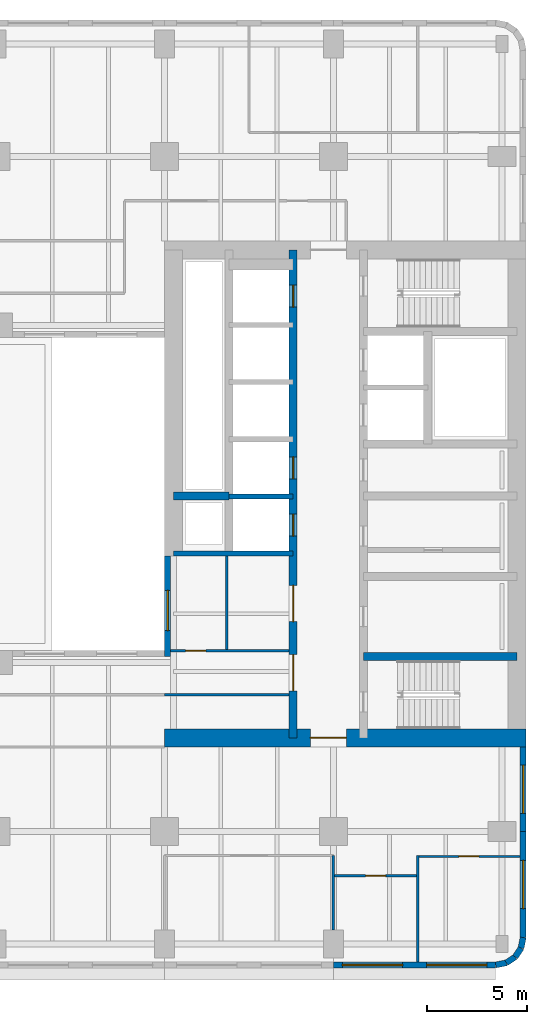
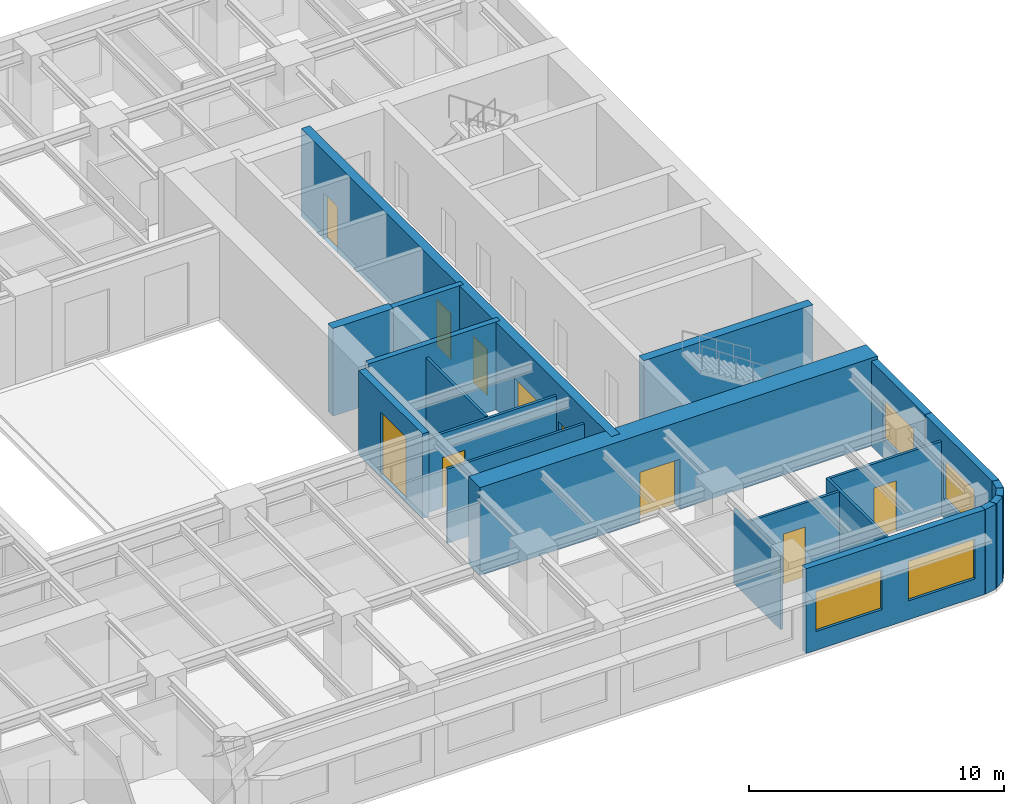
# One storey, part 5 of 14: 21 walls, 9 doors, 5 windows, 14 openings.
"""IFC4 building model written with IfcOpenShell, lengths in metres."""

from ifc_helpers import new_model, si_unit, direction, frame, frame_2d, origin, place, context, subcontext, project, spatial, rectangle, extrude, material, layer, layer_set, type_object, element, fill, save


model = new_model("IFC4")

# Units and contexts
model_context = context("Model", 3, precision=1e-05, world=origin(), true_north=direction((0.0, 1.0)))
body_context = subcontext(model_context, "Body", "Model", "MODEL_VIEW")
ifc_project = project(units=[si_unit("LENGTHUNIT", "METRE"), si_unit("AREAUNIT", "SQUARE_METRE"), si_unit("VOLUMEUNIT", "CUBIC_METRE"), si_unit("PLANEANGLEUNIT", "RADIAN"), si_unit("MASSUNIT", "GRAM", prefix="KILO")], contexts=[model_context])

# Site, building, storey
site_placement = place(None, origin())
site = spatial("IfcSite", under=ifc_project, at=site_placement, CompositionType="ELEMENT")
building_placement = place(site_placement, origin())
building = spatial("IfcBuilding", under=site, at=building_placement, Name="Claustro Exchange Tower", CompositionType="ELEMENT")
storey_placement = place(building_placement, frame((0.0, 0.0, 100.800048828125)))
storey = spatial("IfcBuildingStorey", under=building, at=storey_placement, Name="L22", CompositionType="ELEMENT", Elevation=100.800048828125)

# Wall, opening, door
ifc_material_1 = material(Name="Laminated glass in aluminium frame", Category="aluminium")
ifc_layer_1 = layer(ifc_material_1, 0.1201171875)
ifc_layer_set_1 = layer_set([ifc_layer_1], Name="Laminated glass in aluminium frame")
wall_type_1 = type_object("IfcWallType", Name="P2 120 glazed partition", PredefinedType="PARTITIONING", material=ifc_layer_set_1)
wall_1_placement = place(storey_placement, frame((33.89794921875, 17.39990234375, 0.0), z_axis=(0.0, 0.0, 1.0), x_axis=(1.0, 0.0, 0.0)))
wall_1 = element("IfcWall", 1, at=wall_1_placement, inside=storey, type_object=wall_type_1, Name="Partition P2 L22", PredefinedType="PARTITIONING", context=body_context, shape_type="SweptSolid", body=[
    extrude(rectangle(XDim=5.904052734375, YDim=0.1201171875, at=frame_2d((2.9521484375, 0.0))), origin(), (0.0, 0.0, 1.0), 3.550048828125),
])
opening_1_placement = place(wall_1_placement, frame((0.751953125, 0.0, 0.0)))
opening_1 = element("IfcOpeningElement", 2, at=opening_1_placement, cuts=wall_1, Name="Opening D7", PredefinedType="OPENING", context=body_context, shape_type="SweptSolid", body=[
    extrude(rectangle(XDim=1.0, YDim=2.39990234375, at=frame_2d((0.5, 1.199951171875))), frame((0.0, 0.070068359375, 0.0), z_axis=(0.0, -1.0, 0.0), x_axis=(1.0, 0.0, 0.0)), (0.0, 0.0, 1.0), 0.14013671875),
])
ifc_material_2 = material(Name="Glass door in aluminium frame", Category="aluminium")
door_type_1 = type_object("IfcDoorType", Name="D7 1000 x 2400 glazed door", OperationType="SINGLE_SWING_LEFT", PredefinedType="DOOR", material=ifc_material_2)
door_1_placement = place(opening_1_placement, origin())
door_1 = element("IfcDoor", 3, at=door_1_placement, inside=storey, type_object=door_type_1, Name="Door D7 L22", OperationType="SINGLE_SWING_RIGHT", OverallHeight=2.39990234375, OverallWidth=1.0, PredefinedType="DOOR", context=body_context, shape_type="SweptSolid", body=[
    extrude(rectangle(XDim=1.0, YDim=2.39990234375, at=frame_2d((0.5, 1.199951171875))), frame((0.0, 0.02490234375, 0.0), z_axis=(0.0, -1.0, 0.0), x_axis=(1.0, 0.0, 0.0)), (0.0, 0.0, 1.0), 0.050048828125),
])
fill(opening_1, door_1)

# Wall
wall_2_placement = place(storey_placement, frame((36.699951171875, 17.4580078125, 0.0), z_axis=(0.0, 0.0, 1.0), x_axis=(0.0, 1.0, 0.0)))
element("IfcWall", 4, at=wall_2_placement, inside=storey, type_object=wall_type_1, Name="Partition P2 L22", PredefinedType="PARTITIONING", context=body_context, shape_type="SweptSolid", body=[
    extrude(rectangle(XDim=4.64404296875, YDim=0.1201171875, at=frame_2d((2.322021484375, 0.0))), origin(), (0.0, 0.0, 1.0), 3.599853515625),
])

# Wall, opening, door
wall_3_placement = place(storey_placement, frame((42.05810546875, 6.199951171875, 0.0), z_axis=(0.0, 0.0, 1.0), x_axis=(1.0, 0.0, 0.0)))
wall_3 = element("IfcWall", 5, at=wall_3_placement, inside=storey, type_object=wall_type_1, Name="Partition P2 L22", PredefinedType="PARTITIONING", context=body_context, shape_type="SweptSolid", body=[
    extrude(rectangle(XDim=4.083984375, YDim=0.1201171875, at=frame_2d((2.0419921875, 0.0))), origin(), (0.0, 0.0, 1.0), 3.550048828125),
])
opening_2_placement = place(wall_3_placement, frame((1.5419921875, 0.0, 0.0)))
opening_2 = element("IfcOpeningElement", 6, at=opening_2_placement, cuts=wall_3, Name="Opening D7", PredefinedType="OPENING", context=body_context, shape_type="SweptSolid", body=[
    extrude(rectangle(XDim=1.0, YDim=2.39990234375, at=frame_2d((0.5, 1.199951171875))), frame((0.0, 0.070068359375, 0.0), z_axis=(0.0, -1.0, 0.0), x_axis=(1.0, 0.0, 0.0)), (0.0, 0.0, 1.0), 0.14013671875),
])
door_2_placement = place(opening_2_placement, frame((1.0, 0.0, 0.0), z_axis=(0.0, 0.0, 1.0), x_axis=(-1.0, 0.0, 0.0)))
door_2 = element("IfcDoor", 7, at=door_2_placement, inside=storey, type_object=door_type_1, Name="Door D7 L22", OperationType="SINGLE_SWING_RIGHT", OverallHeight=2.39990234375, OverallWidth=1.0, PredefinedType="DOOR", context=body_context, shape_type="SweptSolid", body=[
    extrude(rectangle(XDim=1.0, YDim=2.39990234375, at=frame_2d((0.5, 1.199951171875))), frame((0.0, 0.02490234375, 0.0), z_axis=(0.0, -1.0, 0.0), x_axis=(1.0, 0.0, 0.0)), (0.0, 0.0, 1.0), 0.050048828125),
])
fill(opening_2, door_2)

wall_4_placement = place(storey_placement, frame((46.258056640625, 7.14990234375, 0.0), z_axis=(0.0, 0.0, 1.0), x_axis=(1.0, 0.0, 0.0)))
wall_4 = element("IfcWall", 8, at=wall_4_placement, inside=storey, type_object=wall_type_1, Name="Partition P2 L22", PredefinedType="PARTITIONING", context=body_context, shape_type="SweptSolid", body=[
    extrude(rectangle(XDim=5.0439453125, YDim=0.1201171875, at=frame_2d((2.52197265625, 0.0))), origin(), (0.0, 0.0, 1.0), 3.56005859375),
])
opening_3_placement = place(wall_4_placement, frame((1.991943359375, 0.0, 0.0)))
opening_3 = element("IfcOpeningElement", 9, at=opening_3_placement, cuts=wall_4, Name="Opening D7", PredefinedType="OPENING", context=body_context, shape_type="SweptSolid", body=[
    extrude(rectangle(XDim=1.0, YDim=2.39990234375, at=frame_2d((0.5, 1.199951171875))), frame((0.0, 0.070068359375, 0.0), z_axis=(0.0, -1.0, 0.0), x_axis=(1.0, 0.0, 0.0)), (0.0, 0.0, 1.0), 0.14013671875),
])
door_3_placement = place(opening_3_placement, frame((1.0, 0.0, 0.0), z_axis=(0.0, 0.0, 1.0), x_axis=(-1.0, 0.0, 0.0)))
door_3 = element("IfcDoor", 10, at=door_3_placement, inside=storey, type_object=door_type_1, Name="Door D7 L22", OperationType="SINGLE_SWING_RIGHT", OverallHeight=2.39990234375, OverallWidth=1.0, PredefinedType="DOOR", context=body_context, shape_type="SweptSolid", body=[
    extrude(rectangle(XDim=1.0, YDim=2.39990234375, at=frame_2d((0.5, 1.199951171875))), frame((0.0, 0.02490234375, 0.0), z_axis=(0.0, -1.0, 0.0), x_axis=(1.0, 0.0, 0.0)), (0.0, 0.0, 1.0), 0.050048828125),
])
fill(opening_3, door_3)

# Walls
wall_5_placement = place(storey_placement, frame((42.0, 3.4990234375, 0.0), z_axis=(0.0, 0.0, 1.0), x_axis=(0.0, 1.0, 0.0)))
element("IfcWall", 11, at=wall_5_placement, inside=storey, type_object=wall_type_1, Name="Partition P2 L22", PredefinedType="PARTITIONING", context=body_context, shape_type="SweptSolid", body=[
    extrude(rectangle(XDim=3.700927734375, YDim=0.1201171875, at=frame_2d((1.8505859375, 0.0))), origin(), (0.0, 0.0, 1.0), 3.550048828125),
])
wall_6_placement = place(storey_placement, frame((46.199951171875, 1.89794921875, 0.0), z_axis=(0.0, 0.0, 1.0), x_axis=(0.0, 1.0, 0.0)))
element("IfcWall", 12, at=wall_6_placement, inside=storey, type_object=wall_type_1, Name="Partition P2 L22", PredefinedType="PARTITIONING", context=body_context, shape_type="SweptSolid", body=[
    extrude(rectangle(XDim=5.302001953125, YDim=0.1201171875, at=frame_2d((2.65087890625, 0.0))), origin(), (0.0, 0.0, 1.0), 3.56005859375),
])
wall_7_placement = place(storey_placement, frame((33.597900390625, 15.199951171875, 0.0), z_axis=(0.0, 0.0, 1.0), x_axis=(1.0, 0.0, 0.0)))
element("IfcWall", 13, at=wall_7_placement, inside=storey, type_object=wall_type_1, Name="Partition P2 L22", PredefinedType="PARTITIONING", context=body_context, shape_type="SweptSolid", body=[
    extrude(rectangle(XDim=6.2041015625, YDim=0.1201171875, at=frame_2d((3.10205078125, 0.0))), origin(), (0.0, 0.0, 1.0), 3.550048828125),
])

# Wall, openings, windows
ifc_material_3 = material(Name="Concrete HA-40 (C40/50), precast, white cement, acid-etched", Category="concrete")
ifc_layer_2 = layer(ifc_material_3, 0.300048828125)
ifc_layer_set_2 = layer_set([ifc_layer_2], Name="Concrete HA-40 (C40/50), precast, white cement, acid-etched")
wall_type_2 = type_object("IfcWallType", Name="PC1 300 precast concrete pier panel", PredefinedType="SOLIDWALL", material=ifc_layer_set_2)
wall_8_placement = place(storey_placement, frame((50.085205078125, 1.75, 0.0), z_axis=(0.0, 0.0, 1.0), x_axis=(-1.0, 0.0, 0.0)))
wall_8 = element("IfcWall", 14, at=wall_8_placement, inside=storey, type_object=wall_type_2, Name="Precast pier panel PC1 L22", PredefinedType="SOLIDWALL", context=body_context, shape_type="SweptSolid", body=[
    extrude(rectangle(XDim=8.085205078125, YDim=0.300048828125, at=frame_2d((4.04248046875, 0.0))), origin(), (0.0, 0.0, 1.0), 4.050048828125),
])
opening_4_placement = place(wall_8_placement, frame((0.442626953125, 0.0, 0.89990234375)))
opening_4 = element("IfcOpeningElement", 15, at=opening_4_placement, cuts=wall_8, Name="Opening W1", PredefinedType="OPENING", context=body_context, shape_type="SweptSolid", body=[
    extrude(rectangle(XDim=3.0, YDim=1.89990234375, at=frame_2d((1.5, 0.949951171875))), frame((0.0, 0.159912109375, 0.0), z_axis=(0.0, -1.0, 0.0), x_axis=(1.0, 0.0, 0.0)), (0.0, 0.0, 1.0), 0.320068359375),
])
opening_5_placement = place(wall_8_placement, frame((4.642578125, 0.0, 0.89990234375)))
opening_5 = element("IfcOpeningElement", 16, at=opening_5_placement, cuts=wall_8, Name="Opening W1", PredefinedType="OPENING", context=body_context, shape_type="SweptSolid", body=[
    extrude(rectangle(XDim=3.0, YDim=1.89990234375, at=frame_2d((1.5, 0.949951171875))), frame((0.0, 0.159912109375, 0.0), z_axis=(0.0, -1.0, 0.0), x_axis=(1.0, 0.0, 0.0)), (0.0, 0.0, 1.0), 0.320068359375),
])
ifc_material_4 = material(Name="Aluminium frame, clear double glazing", Category="aluminium")
window_type_1 = type_object("IfcWindowType", Name="W1 3000 x 1900 window", PartitioningType="SINGLE_PANEL", PredefinedType="WINDOW", material=ifc_material_4)
window_1_placement = place(opening_4_placement, origin())
window_1 = element("IfcWindow", 17, at=window_1_placement, inside=storey, type_object=window_type_1, Name="Window W1 L22", OverallHeight=1.89990234375, OverallWidth=3.0, PartitioningType="SINGLE_PANEL", PredefinedType="WINDOW", context=body_context, shape_type="SweptSolid", body=[
    extrude(rectangle(XDim=3.0, YDim=1.89990234375, at=frame_2d((1.5, 0.949951171875))), frame((0.0, 0.030029296875, 0.0), z_axis=(0.0, -1.0, 0.0), x_axis=(1.0, 0.0, 0.0)), (0.0, 0.0, 1.0), 0.06005859375),
])
fill(opening_4, window_1)
window_2_placement = place(opening_5_placement, origin())
window_2 = element("IfcWindow", 18, at=window_2_placement, inside=storey, type_object=window_type_1, Name="Window W1 L22", OverallHeight=1.89990234375, OverallWidth=3.0, PartitioningType="SINGLE_PANEL", PredefinedType="WINDOW", context=body_context, shape_type="SweptSolid", body=[
    extrude(rectangle(XDim=3.0, YDim=1.89990234375, at=frame_2d((1.5, 0.949951171875))), frame((0.0, 0.030029296875, 0.0), z_axis=(0.0, -1.0, 0.0), x_axis=(1.0, 0.0, 0.0)), (0.0, 0.0, 1.0), 0.06005859375),
])
fill(opening_5, window_2)

# Wall, opening, window
wall_9_placement = place(storey_placement, frame((51.449951171875, 12.60009765625, 0.0), z_axis=(0.0, 0.0, 1.0), x_axis=(0.0, -1.0, 0.0)))
wall_9 = element("IfcWall", 19, at=wall_9_placement, inside=storey, type_object=wall_type_2, Name="Precast pier panel PC1 L22", PredefinedType="SOLIDWALL", context=body_context, shape_type="SweptSolid", body=[
    extrude(rectangle(XDim=4.2001953125, YDim=0.300048828125, at=frame_2d((2.10009765625, 0.0))), origin(), (0.0, 0.0, 1.0), 4.050048828125),
])
opening_6_placement = place(wall_9_placement, frame((0.89990234375, 0.0, 0.89990234375)))
opening_6 = element("IfcOpeningElement", 20, at=opening_6_placement, cuts=wall_9, Name="Opening W2", PredefinedType="OPENING", context=body_context, shape_type="SweptSolid", body=[
    extrude(rectangle(XDim=2.39990234375, YDim=1.89990234375, at=frame_2d((1.199951171875, 0.949951171875))), frame((0.0, 0.159912109375, 0.0), z_axis=(0.0, -1.0, 0.0), x_axis=(1.0, 0.0, 0.0)), (0.0, 0.0, 1.0), 0.320068359375),
])
ifc_material_5 = material(Name="Aluminium frame, clear double glazing", Category="aluminium")
window_type_2 = type_object("IfcWindowType", Name="W2 2400 x 1900 window", PartitioningType="SINGLE_PANEL", PredefinedType="WINDOW", material=ifc_material_5)
window_3_placement = place(opening_6_placement, origin())
window_3 = element("IfcWindow", 21, at=window_3_placement, inside=storey, type_object=window_type_2, Name="Window W2 L22", OverallHeight=1.89990234375, OverallWidth=2.39990234375, PartitioningType="SINGLE_PANEL", PredefinedType="WINDOW", context=body_context, shape_type="SweptSolid", body=[
    extrude(rectangle(XDim=2.39990234375, YDim=1.89990234375, at=frame_2d((1.199951171875, 0.949951171875))), frame((0.0, 0.030029296875, 0.0), z_axis=(0.0, -1.0, 0.0), x_axis=(1.0, 0.0, 0.0)), (0.0, 0.0, 1.0), 0.06005859375),
])
fill(opening_6, window_3)

wall_10_placement = place(storey_placement, frame((51.449951171875, 8.39990234375, 0.0), z_axis=(0.0, 0.0, 1.0), x_axis=(0.0, -1.0, 0.0)))
wall_10 = element("IfcWall", 22, at=wall_10_placement, inside=storey, type_object=wall_type_2, Name="Precast pier panel PC1 L22", PredefinedType="SOLIDWALL", context=body_context, shape_type="SweptSolid", body=[
    extrude(rectangle(XDim=5.28515625, YDim=0.300048828125, at=frame_2d((2.642578125, 0.0))), origin(), (0.0, 0.0, 1.0), 4.050048828125),
])
opening_7_placement = place(wall_10_placement, frame((1.442626953125, 0.0, 0.89990234375)))
opening_7 = element("IfcOpeningElement", 23, at=opening_7_placement, cuts=wall_10, Name="Opening W2", PredefinedType="OPENING", context=body_context, shape_type="SweptSolid", body=[
    extrude(rectangle(XDim=2.39990234375, YDim=1.89990234375, at=frame_2d((1.199951171875, 0.949951171875))), frame((0.0, 0.159912109375, 0.0), z_axis=(0.0, -1.0, 0.0), x_axis=(1.0, 0.0, 0.0)), (0.0, 0.0, 1.0), 0.320068359375),
])
window_4_placement = place(opening_7_placement, origin())
window_4 = element("IfcWindow", 24, at=window_4_placement, inside=storey, type_object=window_type_2, Name="Window W2 L22", OverallHeight=1.89990234375, OverallWidth=2.39990234375, PartitioningType="SINGLE_PANEL", PredefinedType="WINDOW", context=body_context, shape_type="SweptSolid", body=[
    extrude(rectangle(XDim=2.39990234375, YDim=1.89990234375, at=frame_2d((1.199951171875, 0.949951171875))), frame((0.0, 0.030029296875, 0.0), z_axis=(0.0, -1.0, 0.0), x_axis=(1.0, 0.0, 0.0)), (0.0, 0.0, 1.0), 0.06005859375),
])
fill(opening_7, window_4)

# Walls
wall_11_placement = place(storey_placement, frame((51.449951171875, 3.11474609375, 0.0), z_axis=(0.0, 0.0, 1.0), x_axis=(-0.195073962632, -0.980788534345, 0.0)))
element("IfcWall", 25, at=wall_11_placement, inside=storey, type_object=wall_type_2, Name="Precast pier panel PC1 L22", PredefinedType="SOLIDWALL", context=body_context, shape_type="SweptSolid", body=[
    extrude(rectangle(XDim=0.540771484375, YDim=0.300048828125, at=frame_2d((0.2705078125, 0.0))), origin(), (0.0, 0.0, 1.0), 4.050048828125),
])
for number, where, z_axis, x_axis, name in (
    (26, (51.344482421875, 2.58447265625, 0.0), (0.0, 0.0, 1.0), (-0.555557463938, -0.831478144188, 0.0), "Precast pier panel PC1 L22"),
    (27, (51.052490234375, 2.1474609375, 0.0), (0.0, 0.0, 1.0), (-0.831478144188, -0.555557463938, 0.0), "Precast pier panel PC1 L22"),
):
    element("IfcWall", number, at=place(storey_placement, frame(where, z_axis=z_axis, x_axis=x_axis)), inside=storey, type_object=wall_type_2, Name=name, PredefinedType="SOLIDWALL", context=body_context, shape_type="SweptSolid", body=[
        extrude(rectangle(XDim=0.525634765625, YDim=0.300048828125, at=frame_2d((0.2626953125, 0.0))), origin(), (0.0, 0.0, 1.0), 4.050048828125),
    ])
wall_12_placement = place(storey_placement, frame((50.615478515625, 1.85546875, 0.0), z_axis=(0.0, 0.0, 1.0), x_axis=(-0.980788534345, -0.195073962632, 0.0)))
element("IfcWall", 28, at=wall_12_placement, inside=storey, type_object=wall_type_2, Name="Precast pier panel PC1 L22", PredefinedType="SOLIDWALL", context=body_context, shape_type="SweptSolid", body=[
    extrude(rectangle(XDim=0.540771484375, YDim=0.300048828125, at=frame_2d((0.2705078125, 0.0))), origin(), (0.0, 0.0, 1.0), 4.050048828125),
])

# Wall, opening, window
wall_13_placement = place(storey_placement, frame((33.75, 17.10009765625, 0.0), z_axis=(0.0, 0.0, 1.0), x_axis=(0.0, 1.0, 0.0)))
wall_13 = element("IfcWall", 29, at=wall_13_placement, inside=storey, type_object=wall_type_2, Name="Precast pier panel PC1 L22", PredefinedType="SOLIDWALL", context=body_context, shape_type="SweptSolid", body=[
    extrude(rectangle(XDim=5.0, YDim=0.300048828125, at=frame_2d((2.5, 0.0))), origin(), (0.0, 0.0, 1.0), 4.050048828125),
])
opening_8_placement = place(wall_13_placement, frame((1.300048828125, 0.0, 0.10009765625)))
opening_8 = element("IfcOpeningElement", 30, at=opening_8_placement, cuts=wall_13, Name="Opening W-A", PredefinedType="OPENING", context=body_context, shape_type="SweptSolid", body=[
    extrude(rectangle(XDim=2.0, YDim=3.0, at=frame_2d((1.0, 1.5))), frame((0.0, 0.159912109375, 0.0), z_axis=(0.0, -1.0, 0.0), x_axis=(1.0, 0.0, 0.0)), (0.0, 0.0, 1.0), 0.320068359375),
])
ifc_material_6 = material(Name="Aluminium frame, clear double glazing", Category="aluminium")
window_type_3 = type_object("IfcWindowType", Name="W-A 2000 x 3000 arcade window", PartitioningType="SINGLE_PANEL", PredefinedType="WINDOW", material=ifc_material_6)
window_5_placement = place(opening_8_placement, origin())
window_5 = element("IfcWindow", 31, at=window_5_placement, inside=storey, type_object=window_type_3, Name="Window W-A L22", OverallHeight=3.0, OverallWidth=2.0, PartitioningType="SINGLE_PANEL", PredefinedType="WINDOW", context=body_context, shape_type="SweptSolid", body=[
    extrude(rectangle(XDim=2.0, YDim=3.0, at=frame_2d((1.0, 1.5))), frame((0.0, 0.030029296875, 0.0), z_axis=(0.0, -1.0, 0.0), x_axis=(1.0, 0.0, 0.0)), (0.0, 0.0, 1.0), 0.06005859375),
])
fill(opening_8, window_5)

# Wall, opening, door
ifc_material_7 = material(Name="Concrete HA-70 (C70/85)", Category="concrete")
ifc_layer_3 = layer(ifc_material_7, 0.89990234375)
ifc_layer_set_3 = layer_set([ifc_layer_3], Name="Concrete HA-70 (C70/85)")
wall_type_3 = type_object("IfcWallType", Name="SW1 900 core shear wall", PredefinedType="SHEAR", material=ifc_layer_set_3)
wall_14_placement = place(storey_placement, frame((33.60009765625, 13.050048828125, 0.0), z_axis=(0.0, 0.0, 1.0), x_axis=(1.0, 0.0, 0.0)))
wall_14 = element("IfcWall", 32, at=wall_14_placement, inside=storey, type_object=wall_type_3, Name="Core wall SW1 E core S face L22", PredefinedType="SHEAR", context=body_context, shape_type="SweptSolid", body=[
    extrude(rectangle(XDim=18.0, YDim=0.89990234375, at=frame_2d((9.0, 0.0))), origin(), (0.0, 0.0, 1.0), 4.199951171875),
])
opening_9_placement = place(wall_14_placement, frame((7.25, 0.0, 0.0)))
opening_9 = element("IfcOpeningElement", 33, at=opening_9_placement, cuts=wall_14, Name="Opening D3", PredefinedType="OPENING", context=body_context, shape_type="SweptSolid", body=[
    extrude(rectangle(XDim=1.800048828125, YDim=2.39990234375, at=frame_2d((0.89990234375, 1.199951171875))), frame((0.0, 0.4599609375, 0.0), z_axis=(0.0, -1.0, 0.0), x_axis=(1.0, 0.0, 0.0)), (0.0, 0.0, 1.0), 0.919921875),
])
ifc_material_8 = material(Name="Steel fire door, painted", Category="steel")
door_type_2 = type_object("IfcDoorType", Name="D3 1800 x 2400 fire-rated lobby double door", OperationType="DOUBLE_DOOR_SINGLE_SWING", PredefinedType="DOOR", material=ifc_material_8)
door_4_placement = place(opening_9_placement, frame((1.800048828125, 0.0, 0.0), z_axis=(0.0, 0.0, 1.0), x_axis=(-1.0, 0.0, 0.0)))
door_4 = element("IfcDoor", 34, at=door_4_placement, inside=storey, type_object=door_type_2, Name="Lift lobby door D3 L22", OperationType="DOUBLE_DOOR_SINGLE_SWING", OverallHeight=2.39990234375, OverallWidth=1.800048828125, PredefinedType="DOOR", context=body_context, shape_type="SweptSolid", body=[
    extrude(rectangle(XDim=1.800048828125, YDim=2.39990234375, at=frame_2d((0.89990234375, 1.199951171875))), frame((0.0, 0.02490234375, 0.0), z_axis=(0.0, -1.0, 0.0), x_axis=(1.0, 0.0, 0.0)), (0.0, 0.0, 1.0), 0.050048828125),
])
fill(opening_9, door_4)

# Wall, openings, doors
ifc_material_9 = material(Name="Concrete HA-50 (C50/60)", Category="concrete")
ifc_layer_4 = layer(ifc_material_9, 0.39990234375)
ifc_layer_set_4 = layer_set([ifc_layer_4], Name="Concrete HA-50 (C50/60)")
wall_type_4 = type_object("IfcWallType", Name="SW4 400 internal core wall", PredefinedType="SHEAR", material=ifc_layer_set_4)
wall_15_placement = place(storey_placement, frame((40.0, 13.050048828125, 0.0), z_axis=(0.0, 0.0, 1.0), x_axis=(0.0, 1.0, 0.0)))
wall_15 = element("IfcWall", 35, at=wall_15_placement, inside=storey, type_object=wall_type_4, Name="Internal core wall SW4 E core L22", PredefinedType="SHEAR", context=body_context, shape_type="SweptSolid", body=[
    extrude(rectangle(XDim=24.300048828125, YDim=0.39990234375, at=frame_2d((12.14990234375, 0.0))), origin(), (0.0, 0.0, 1.0), 4.199951171875),
])
opening_10_placement = place(wall_15_placement, frame((10.050048828125, 0.0, 0.0)))
opening_10 = element("IfcOpeningElement", 36, at=opening_10_placement, cuts=wall_15, Name="Opening LD", PredefinedType="OPENING", context=body_context, shape_type="SweptSolid", body=[
    extrude(rectangle(XDim=1.10009765625, YDim=2.199951171875, at=frame_2d((0.550048828125, 1.10009765625))), frame((0.0, 0.2099609375, 0.0), z_axis=(0.0, -1.0, 0.0), x_axis=(1.0, 0.0, 0.0)), (0.0, 0.0, 1.0), 0.419921875),
])
opening_11_placement = place(wall_15_placement, frame((12.89990234375, 0.0, 0.0)))
opening_11 = element("IfcOpeningElement", 37, at=opening_11_placement, cuts=wall_15, Name="Opening LD", PredefinedType="OPENING", context=body_context, shape_type="SweptSolid", body=[
    extrude(rectangle(XDim=1.10009765625, YDim=2.199951171875, at=frame_2d((0.550048828125, 1.10009765625))), frame((0.0, 0.2099609375, 0.0), z_axis=(0.0, -1.0, 0.0), x_axis=(1.0, 0.0, 0.0)), (0.0, 0.0, 1.0), 0.419921875),
])
opening_12_placement = place(wall_15_placement, frame((21.449951171875, 0.0, 0.0)))
opening_12 = element("IfcOpeningElement", 38, at=opening_12_placement, cuts=wall_15, Name="Opening LD", PredefinedType="OPENING", context=body_context, shape_type="SweptSolid", body=[
    extrude(rectangle(XDim=1.10009765625, YDim=2.199951171875, at=frame_2d((0.550048828125, 1.10009765625))), frame((0.0, 0.2099609375, 0.0), z_axis=(0.0, -1.0, 0.0), x_axis=(1.0, 0.0, 0.0)), (0.0, 0.0, 1.0), 0.419921875),
])
opening_13_placement = place(wall_15_placement, frame((2.35009765625, 0.0, 0.0)))
opening_13 = element("IfcOpeningElement", 39, at=opening_13_placement, cuts=wall_15, Name="Opening D3", PredefinedType="OPENING", context=body_context, shape_type="SweptSolid", body=[
    extrude(rectangle(XDim=1.800048828125, YDim=2.39990234375, at=frame_2d((0.89990234375, 1.199951171875))), frame((0.0, 0.2099609375, 0.0), z_axis=(0.0, -1.0, 0.0), x_axis=(1.0, 0.0, 0.0)), (0.0, 0.0, 1.0), 0.419921875),
])
opening_14_placement = place(wall_15_placement, frame((5.800048828125, 0.0, 0.0)))
opening_14 = element("IfcOpeningElement", 40, at=opening_14_placement, cuts=wall_15, Name="Opening D3", PredefinedType="OPENING", context=body_context, shape_type="SweptSolid", body=[
    extrude(rectangle(XDim=1.800048828125, YDim=2.39990234375, at=frame_2d((0.89990234375, 1.199951171875))), frame((0.0, 0.2099609375, 0.0), z_axis=(0.0, -1.0, 0.0), x_axis=(1.0, 0.0, 0.0)), (0.0, 0.0, 1.0), 0.419921875),
])
door_5_placement = place(opening_13_placement, frame((1.800048828125, 0.0, 0.0), z_axis=(0.0, 0.0, 1.0), x_axis=(-1.0, 0.0, 0.0)))
door_5 = element("IfcDoor", 41, at=door_5_placement, inside=storey, type_object=door_type_2, Name="Core zone door D3 L22", OperationType="DOUBLE_DOOR_SINGLE_SWING", OverallHeight=2.39990234375, OverallWidth=1.800048828125, PredefinedType="DOOR", context=body_context, shape_type="SweptSolid", body=[
    extrude(rectangle(XDim=1.800048828125, YDim=2.39990234375, at=frame_2d((0.89990234375, 1.199951171875))), frame((0.0, 0.02490234375, 0.0), z_axis=(0.0, -1.0, 0.0), x_axis=(1.0, 0.0, 0.0)), (0.0, 0.0, 1.0), 0.050048828125),
])
fill(opening_13, door_5)
door_6_placement = place(opening_14_placement, origin())
door_6 = element("IfcDoor", 42, at=door_6_placement, inside=storey, type_object=door_type_2, Name="Core zone door D3 L22", OperationType="DOUBLE_DOOR_SINGLE_SWING", OverallHeight=2.39990234375, OverallWidth=1.800048828125, PredefinedType="DOOR", context=body_context, shape_type="SweptSolid", body=[
    extrude(rectangle(XDim=1.800048828125, YDim=2.39990234375, at=frame_2d((0.89990234375, 1.199951171875))), frame((0.0, 0.02490234375, 0.0), z_axis=(0.0, -1.0, 0.0), x_axis=(1.0, 0.0, 0.0)), (0.0, 0.0, 1.0), 0.050048828125),
])
fill(opening_14, door_6)
ifc_material_10 = material(Name="Stainless steel sliding door", Category="steel")
door_type_3 = type_object("IfcDoorType", Name="LD 1100 x 2200 lift landing door", OperationType="DOUBLE_DOOR_SLIDING", PredefinedType="DOOR", material=ifc_material_10)
door_7_placement = place(opening_10_placement, origin())
door_7 = element("IfcDoor", 43, at=door_7_placement, inside=storey, type_object=door_type_3, Name="Lift landing door LME1 LD L22", OperationType="DOUBLE_DOOR_SLIDING", OverallHeight=2.199951171875, OverallWidth=1.10009765625, PredefinedType="DOOR", context=body_context, shape_type="SweptSolid", body=[
    extrude(rectangle(XDim=1.10009765625, YDim=2.199951171875, at=frame_2d((0.550048828125, 1.10009765625))), frame((0.0, 0.02490234375, 0.0), z_axis=(0.0, -1.0, 0.0), x_axis=(1.0, 0.0, 0.0)), (0.0, 0.0, 1.0), 0.050048828125),
])
fill(opening_10, door_7)
door_8_placement = place(opening_11_placement, origin())
door_8 = element("IfcDoor", 44, at=door_8_placement, inside=storey, type_object=door_type_3, Name="Lift landing door LME2 LD L22", OperationType="DOUBLE_DOOR_SLIDING", OverallHeight=2.199951171875, OverallWidth=1.10009765625, PredefinedType="DOOR", context=body_context, shape_type="SweptSolid", body=[
    extrude(rectangle(XDim=1.10009765625, YDim=2.199951171875, at=frame_2d((0.550048828125, 1.10009765625))), frame((0.0, 0.02490234375, 0.0), z_axis=(0.0, -1.0, 0.0), x_axis=(1.0, 0.0, 0.0)), (0.0, 0.0, 1.0), 0.050048828125),
])
fill(opening_11, door_8)
door_9_placement = place(opening_12_placement, origin())
door_9 = element("IfcDoor", 45, at=door_9_placement, inside=storey, type_object=door_type_3, Name="Lift landing door LSE1 LD L22", OperationType="DOUBLE_DOOR_SLIDING", OverallHeight=2.199951171875, OverallWidth=1.10009765625, PredefinedType="DOOR", context=body_context, shape_type="SweptSolid", body=[
    extrude(rectangle(XDim=1.10009765625, YDim=2.199951171875, at=frame_2d((0.550048828125, 1.10009765625))), frame((0.0, 0.02490234375, 0.0), z_axis=(0.0, -1.0, 0.0), x_axis=(1.0, 0.0, 0.0)), (0.0, 0.0, 1.0), 0.050048828125),
])
fill(opening_12, door_9)

# Walls
wall_16_placement = place(storey_placement, frame((51.14990234375, 17.10009765625, 0.0), z_axis=(0.0, 0.0, 1.0), x_axis=(-1.0, 0.0, 0.0)))
element("IfcWall", 46, at=wall_16_placement, inside=storey, type_object=wall_type_4, Name="Internal core wall SW4 E core L22", PredefinedType="SHEAR", context=body_context, shape_type="SweptSolid", body=[
    extrude(rectangle(XDim=7.64990234375, YDim=0.39990234375, at=frame_2d((3.824951171875, 0.0))), origin(), (0.0, 0.0, 1.0), 4.199951171875),
])
wall_17_placement = place(storey_placement, frame((36.800048828125, 25.10009765625, 0.0), z_axis=(0.0, 0.0, 1.0), x_axis=(-1.0, 0.0, 0.0)))
element("IfcWall", 47, at=wall_17_placement, inside=storey, type_object=wall_type_4, Name="Internal core wall SW4 E core L22", PredefinedType="SHEAR", context=body_context, shape_type="SweptSolid", body=[
    extrude(rectangle(XDim=2.75, YDim=0.39990234375, at=frame_2d((1.375, 0.0))), origin(), (0.0, 0.0, 1.0), 4.199951171875),
])
ifc_material_11 = material(Name="Concrete HA-50 (C50/60)", Category="concrete")
ifc_layer_5 = layer(ifc_material_11, 0.25)
ifc_layer_set_5 = layer_set([ifc_layer_5], Name="Concrete HA-50 (C50/60)")
wall_type_5 = type_object("IfcWallType", Name="SW5 250 lift shaft divider wall", PredefinedType="SHEAR", material=ifc_layer_set_5)
wall_18_placement = place(storey_placement, frame((40.0, 22.22509765625, 0.0), z_axis=(0.0, 0.0, 1.0), x_axis=(-1.0, 0.0, 0.0)))
element("IfcWall", 48, at=wall_18_placement, inside=storey, type_object=wall_type_5, Name="Core step wall E core L22", PredefinedType="SHEAR", context=body_context, shape_type="SweptSolid", body=[
    extrude(rectangle(XDim=5.949951171875, YDim=0.25, at=frame_2d((2.97509765625, 0.0))), origin(), (0.0, 0.0, 1.0), 4.199951171875),
])
wall_19_placement = place(storey_placement, frame((40.0, 25.074951171875, 0.0), z_axis=(0.0, 0.0, 1.0), x_axis=(-1.0, 0.0, 0.0)))
element("IfcWall", 49, at=wall_19_placement, inside=storey, type_object=wall_type_5, Name="Lift shaft wall E core L22", PredefinedType="SHEAR", context=body_context, shape_type="SweptSolid", body=[
    extrude(rectangle(XDim=3.199951171875, YDim=0.25, at=frame_2d((1.60009765625, 0.0))), origin(), (0.0, 0.0, 1.0), 4.199951171875),
])

save(model, "model.ifc")
